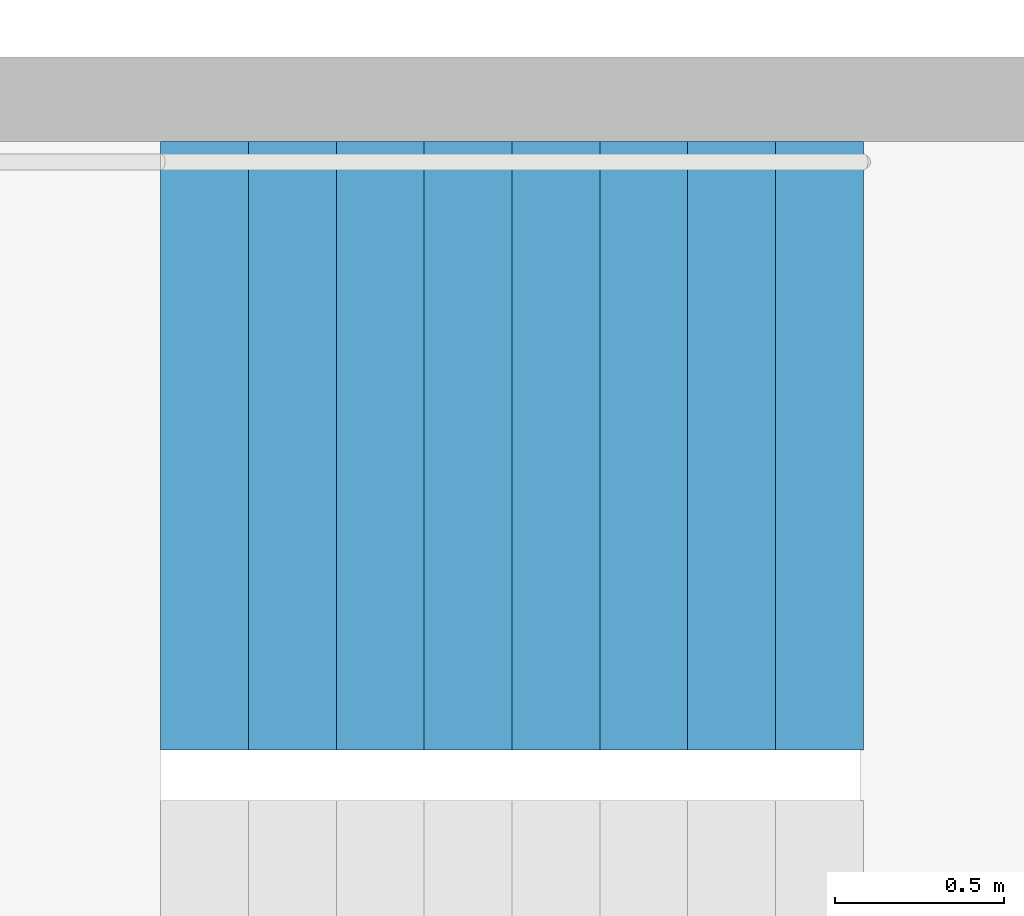
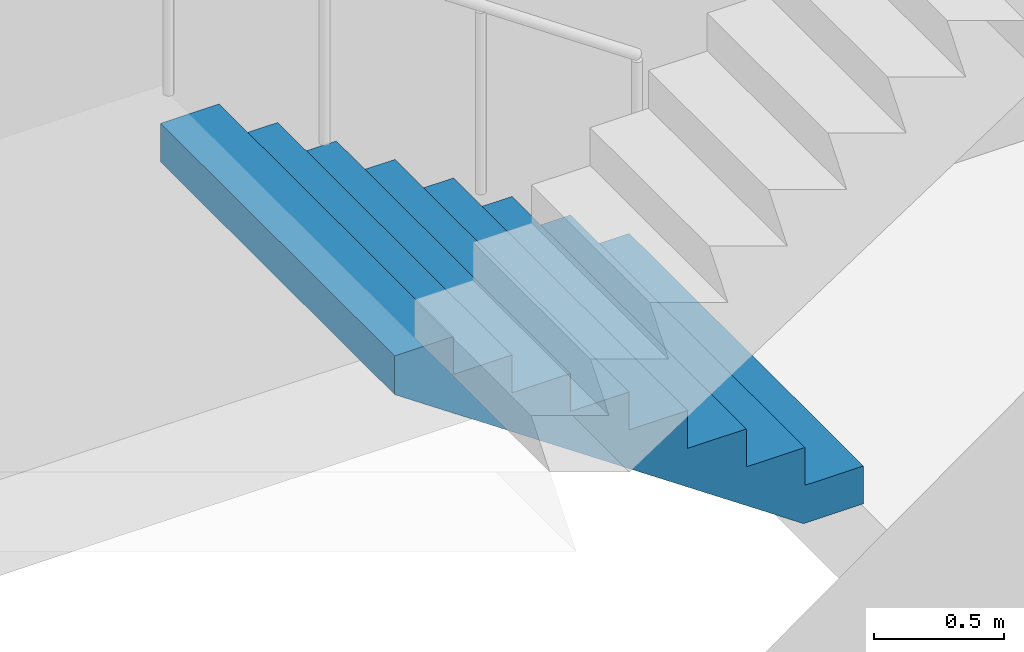
# One storey, part 19 of 26: 1 stair flight, 1 element without a shape of its own.
"""IFC4 building model written with IfcOpenShell, lengths in metres."""

import ifcopenshell
import ifcopenshell.guid

model = None  # the IFC model being written
_history = None  # IfcOwnerHistory: only IFC2X3 demands one
_inside = {}  # id of a spatial element -> (the spatial element, [elements in it])
_under = {}  # id of a project, library or spatial element -> (it, [spatial elements below it])
_declared = {}  # id of a project -> (the project, [libraries it declares])
_typed = {}  # id of a type object -> (the type object, [elements of that type])
_made_of = {}  # id of a material, layer set ... -> (it, [elements and type objects made of it])


def new_model(schema):
    """Start an empty IFC model of exactly this schema.

    Asked for "IFC4X3", IfcOpenShell would pick the latest addendum, in which some entities
    have other attributes; the version numbers below select the first issue.
    IFC2X3 requires an IfcOwnerHistory on every rooted entity: one is made here for all.
    """
    global model, _history
    if schema == "IFC4X3":
        model = ifcopenshell.file(schema_version=(4, 3, 0, 0))
    else:
        model = ifcopenshell.file(schema=schema)
    _inside.clear()
    _under.clear()
    _declared.clear()
    _typed.clear()
    _made_of.clear()
    _history = None
    if model.schema == "IFC2X3":
        org = make("IfcOrganization", Name="unknown")
        user = make(
            "IfcPersonAndOrganization",
            ThePerson=make("IfcPerson", FamilyName="unknown"),
            TheOrganization=org,
        )
        app = make(
            "IfcApplication",
            ApplicationDeveloper=org,
            Version="unknown",
            ApplicationFullName="unknown",
            ApplicationIdentifier="unknown",
        )
        _history = make(
            "IfcOwnerHistory",
            OwningUser=user,
            OwningApplication=app,
            ChangeAction="ADDED",
            CreationDate=0,
        )
    return model


def make(cls, **values):
    """One entity of the class cls with the attributes given. An attribute that is None is left unset."""
    return model.create_entity(
        cls, **{name: value for name, value in values.items() if value is not None}
    )


def rooted(cls, **values):
    """An entity with a GlobalId (a new one), such as an element, a storey or a relation."""
    return make(cls, GlobalId=ifcopenshell.guid.new(), OwnerHistory=_history, **values)


def si_unit(unit_type, name, prefix=None):
    """IfcSIUnit, for example si_unit("LENGTHUNIT", "METRE", prefix="MILLI")."""
    return make("IfcSIUnit", UnitType=unit_type, Prefix=prefix, Name=name)


def assignment(units):
    """IfcUnitAssignment: the units of a project."""
    return None if units is None else make("IfcUnitAssignment", Units=units)


def point(xyz):
    """IfcCartesianPoint."""
    return None if xyz is None else make("IfcCartesianPoint", Coordinates=xyz)


def direction(xyz):
    """IfcDirection."""
    return None if xyz is None else make("IfcDirection", DirectionRatios=xyz)


def frame(location, z_axis=None, x_axis=None):
    """IfcAxis2Placement3D, a coordinate frame: its origin and axes. An axis left out is left unset."""
    return make(
        "IfcAxis2Placement3D",
        Location=point(location),
        Axis=direction(z_axis),
        RefDirection=direction(x_axis),
    )


def origin():
    """The frame at (0, 0, 0) with its axes left unset."""
    return frame((0.0, 0.0, 0.0))


def place(relative_to, where):
    """IfcLocalPlacement: puts the frame where relative to a parent placement (None: the world)."""
    return make(
        "IfcLocalPlacement", PlacementRelTo=relative_to, RelativePlacement=where
    )


def context(
    kind, dimensions, precision=None, world=None, true_north=None, identifier=None
):
    """IfcGeometricRepresentationContext, for example the 3D "Model" context."""
    return make(
        "IfcGeometricRepresentationContext",
        ContextIdentifier=identifier,
        ContextType=kind,
        CoordinateSpaceDimension=dimensions,
        Precision=precision,
        WorldCoordinateSystem=world,
        TrueNorth=true_north,
    )


def subcontext(parent, identifier, kind, view, scale=None):
    """IfcGeometricRepresentationSubContext, for example "Body" below "Model"."""
    return make(
        "IfcGeometricRepresentationSubContext",
        ContextIdentifier=identifier,
        ContextType=kind,
        ParentContext=parent,
        TargetScale=scale,
        TargetView=view,
    )


def project(units=None, contexts=None):
    """IfcProject with its units and contexts."""
    return rooted(
        "IfcProject",
        Name="project",
        RepresentationContexts=contexts,
        UnitsInContext=assignment(units),
    )


def spatial(cls, under=None, at=None, **own):
    """A site, building, storey or space (cls), placed at a placement, below another one or the project."""
    s = rooted(cls, ObjectPlacement=at, **own)
    if under is not None:
        _under.setdefault(under.id(), (under, []))[1].append(s)
    return s


def point_list(points):
    """IfcCartesianPointList2D or 3D."""
    cls = (
        "IfcCartesianPointList2D" if len(points[0]) == 2 else "IfcCartesianPointList3D"
    )
    return make(cls, CoordList=points)


def triangles(points, corners, closed=None, point_numbers=None):
    """IfcTriangulatedFaceSet: each triangle names its three corners, points numbered from 1."""
    return make(
        "IfcTriangulatedFaceSet",
        Coordinates=point_list(points),
        Closed=closed,
        CoordIndex=corners,
        PnIndex=point_numbers,
    )


def shape(context_of_items, identifier, shape_type, items):
    """IfcShapeRepresentation: the items that make up one representation, for example the "Body"."""
    return make(
        "IfcShapeRepresentation",
        ContextOfItems=context_of_items,
        RepresentationIdentifier=identifier,
        RepresentationType=shape_type,
        Items=items,
    )


def material(Name=None, Category=None):
    """IfcMaterial."""
    return make("IfcMaterial", Name=Name, Category=Category)


def made_of(thing, what):
    """Note that an element or type object is made of a material, layer set ...; save() writes the relation."""
    if what is not None:
        _made_of.setdefault(what.id(), (what, []))[1].append(thing)
    return thing


def type_object(cls, material=None, **own):
    """A type object (cls), such as IfcWallType, which elements share."""
    return made_of(rooted(cls, **own), material)


def element(
    cls,
    number,
    at=None,
    inside=None,
    cuts=None,
    type_object=None,
    material=None,
    context=None,
    identifier="Body",
    shape_type=None,
    held_by="IfcProductDefinitionShape",
    body=None,
    shapes=None,
    **own,
):
    """One element of the class cls, such as IfcWall. Its Tag is "e" and its number.

    at: its placement. inside: the storey or other place that contains it. cuts: it is an
    opening in that element (IfcRelVoidsElement). A single representation is given by context,
    identifier, shape_type and body (its items); several are given by shapes. held_by: the class
    of the entity that holds the representations. save() writes the other relations.
    """
    e = rooted(cls, Tag="e%d" % number, ObjectPlacement=at, **own)
    if body is not None:
        shapes = [shape(context, identifier, shape_type, body)]
    if shapes is not None:
        e.Representation = make(held_by, Representations=shapes)
    if inside is not None:
        _inside.setdefault(inside.id(), (inside, []))[1].append(e)
    if cuts is not None:
        rooted(
            "IfcRelVoidsElement", RelatingBuildingElement=cuts, RelatedOpeningElement=e
        )
    if type_object is not None:
        _typed.setdefault(type_object.id(), (type_object, []))[1].append(e)
    return made_of(e, material)


def aggregate(whole, parts):
    """IfcRelAggregates: a whole, such as a stair, and the parts it consists of."""
    return rooted("IfcRelAggregates", RelatingObject=whole, RelatedObjects=parts)


def save(model, path):
    """Write the relations noted so far, then the file.

    IfcRelAggregates (storeys below a building ...), IfcRelContainedInSpatialStructure (elements
    in a storey), IfcRelDefinesByType, IfcRelAssociatesMaterial and IfcRelDeclares: one each for
    every whole, place, type object, material and project.
    """
    for whole, parts in _under.values():
        aggregate(whole, parts)
    for where, things in _inside.values():
        rooted(
            "IfcRelContainedInSpatialStructure",
            RelatedElements=things,
            RelatingStructure=where,
        )
    for kind, things in _typed.values():
        rooted("IfcRelDefinesByType", RelatedObjects=things, RelatingType=kind)
    for what, things in _made_of.values():
        rooted("IfcRelAssociatesMaterial", RelatedObjects=things, RelatingMaterial=what)
    for by, libraries in _declared.values():
        rooted("IfcRelDeclares", RelatingContext=by, RelatedDefinitions=libraries)
    model.write(path)


model = new_model("IFC4")

# Units and contexts
model_context = context("Model", 3, precision=1e-05, world=origin(), true_north=direction((0.0, 1.0)))
body_context = subcontext(model_context, "Body", "Model", "MODEL_VIEW")
ifc_project = project(units=[si_unit("LENGTHUNIT", "METRE"), si_unit("AREAUNIT", "SQUARE_METRE"), si_unit("VOLUMEUNIT", "CUBIC_METRE"), si_unit("PLANEANGLEUNIT", "RADIAN"), si_unit("MASSUNIT", "GRAM", prefix="KILO")], contexts=[model_context])

# Site, building, storey
site_placement = place(None, origin())
site = spatial("IfcSite", under=ifc_project, at=site_placement, CompositionType="ELEMENT")
building_placement = place(site_placement, origin())
building = spatial("IfcBuilding", under=site, at=building_placement, Name="Hakoniwa Tower and Hamabe Station Hall", CompositionType="ELEMENT")
storey_placement = place(building_placement, frame((0.0, 0.0, 209.0)))
storey = spatial("IfcBuildingStorey", under=building, at=storey_placement, Name="L59", CompositionType="ELEMENT", Elevation=209.0)

# Stair, stair flight
ifc_material_1 = material(Name="Concrete C40", Category="concrete")
stair_type = type_object("IfcStairType", Name="ESCAPE STAIR 1800", PredefinedType="HALF_TURN_STAIR", material=ifc_material_1)
stair_placement = place(storey_placement, origin())
stair = element("IfcStair", 1, at=stair_placement, inside=storey, type_object=stair_type, Name="Escape stair ST-2 L59", PredefinedType="HALF_TURN_STAIR")
ifc_material_2 = material(Name="Concrete C40", Category="concrete")
stair_flight_type = type_object("IfcStairFlightType", Name="STAIR FLIGHT 1800", PredefinedType="STRAIGHT", material=ifc_material_2)
stair_flight_placement = place(storey_placement, frame((-23.39990234375, -4.64990234375, 0.0), z_axis=(0.0, 0.0, 1.0), x_axis=(-1.0, 0.0, 0.0)))
stair_flight = element("IfcStairFlight", 2, at=stair_flight_placement, type_object=stair_flight_type, Name="ST-2 flight 1", NumberOfRisers=9, NumberOfTreads=8, PredefinedType="STRAIGHT", RiserHeight=0.177777778, TreadLength=0.26, context=body_context, shape_type="Tessellation", body=[
    triangles([(0.0, 0.89990234375, 0.0), (0.260009765625, 0.89990234375, 0.0), (0.265625, 0.89990234375, 0.0), (0.52001953125, 0.89990234375, 0.174072265625), (0.780029296875, 0.89990234375, 0.351806640625), (1.0400390625, 0.89990234375, 0.529541015625), (1.300048828125, 0.89990234375, 0.707275390625), (1.56005859375, 0.89990234375, 0.885009765625), (1.820068359375, 0.89990234375, 1.062744140625), (2.080078125, 0.89990234375, 1.24072265625), (2.080078125, 0.89990234375, 1.422119140625), (1.820068359375, 0.89990234375, 1.422119140625), (1.820068359375, 0.89990234375, 1.244384765625), (1.56005859375, 0.89990234375, 1.244384765625), (1.56005859375, 0.89990234375, 1.066650390625), (1.300048828125, 0.89990234375, 1.066650390625), (1.300048828125, 0.89990234375, 0.888916015625), (1.0400390625, 0.89990234375, 0.888916015625), (1.0400390625, 0.89990234375, 0.711181640625), (0.780029296875, 0.89990234375, 0.711181640625), (0.780029296875, 0.89990234375, 0.533447265625), (0.52001953125, 0.89990234375, 0.533447265625), (0.52001953125, 0.89990234375, 0.35546875), (0.265625, 0.89990234375, 0.35546875), (0.260009765625, 0.89990234375, 0.35546875), (0.260009765625, 0.89990234375, 0.177734375), (0.0, 0.89990234375, 0.177734375), (0.0, 0.06005859375, 0.0), (0.260009765625, 0.06005859375, 0.0), (0.265625, 0.06005859375, 0.0), (0.52001953125, 0.06005859375, 0.174072265625), (0.780029296875, 0.06005859375, 0.351806640625), (1.0400390625, 0.06005859375, 0.529541015625), (1.300048828125, 0.06005859375, 0.707275390625), (1.56005859375, 0.06005859375, 0.885009765625), (1.820068359375, 0.06005859375, 1.062744140625), (2.080078125, 0.06005859375, 1.24072265625), (2.080078125, 0.06005859375, 1.422119140625), (1.820068359375, 0.06005859375, 1.422119140625), (1.820068359375, 0.06005859375, 1.244384765625), (1.56005859375, 0.06005859375, 1.244384765625), (1.56005859375, 0.06005859375, 1.066650390625), (1.300048828125, 0.06005859375, 1.066650390625), (1.300048828125, 0.06005859375, 0.888916015625), (1.0400390625, 0.06005859375, 0.888916015625), (1.0400390625, 0.06005859375, 0.711181640625), (0.780029296875, 0.06005859375, 0.711181640625), (0.780029296875, 0.06005859375, 0.533447265625), (0.52001953125, 0.06005859375, 0.533447265625), (0.52001953125, 0.06005859375, 0.35546875), (0.265625, 0.06005859375, 0.35546875), (0.260009765625, 0.06005859375, 0.35546875), (0.260009765625, 0.06005859375, 0.177734375), (0.0, 0.06005859375, 0.177734375), (0.0, 0.04296875, 0.0), (0.260009765625, 0.04296875, 0.0), (0.265625, 0.04296875, 0.0), (0.52001953125, 0.04296875, 0.174072265625), (0.780029296875, 0.04296875, 0.351806640625), (1.0400390625, 0.04296875, 0.529541015625), (1.300048828125, 0.04296875, 0.707275390625), (1.56005859375, 0.04296875, 0.885009765625), (1.820068359375, 0.04296875, 1.062744140625), (2.080078125, 0.04296875, 1.24072265625), (2.080078125, 0.04296875, 1.422119140625), (1.820068359375, 0.04296875, 1.422119140625), (1.820068359375, 0.04296875, 1.244384765625), (1.56005859375, 0.04296875, 1.244384765625), (1.56005859375, 0.04296875, 1.066650390625), (1.300048828125, 0.04296875, 1.066650390625), (1.300048828125, 0.04296875, 0.888916015625), (1.0400390625, 0.04296875, 0.888916015625), (1.0400390625, 0.04296875, 0.711181640625), (0.780029296875, 0.04296875, 0.711181640625), (0.780029296875, 0.04296875, 0.533447265625), (0.52001953125, 0.04296875, 0.533447265625), (0.52001953125, 0.04296875, 0.35546875), (0.265625, 0.04296875, 0.35546875), (0.260009765625, 0.04296875, 0.35546875), (0.260009765625, 0.04296875, 0.177734375), (0.0, 0.04296875, 0.177734375), (0.0, 0.025634765625, 0.0), (0.260009765625, 0.025634765625, 0.0), (0.265625, 0.025634765625, 0.0), (0.52001953125, 0.025634765625, 0.174072265625), (0.780029296875, 0.025634765625, 0.351806640625), (1.0400390625, 0.025634765625, 0.529541015625), (1.300048828125, 0.025634765625, 0.707275390625), (1.56005859375, 0.025634765625, 0.885009765625), (1.820068359375, 0.025634765625, 1.062744140625), (2.080078125, 0.025634765625, 1.24072265625), (2.080078125, 0.025634765625, 1.422119140625), (1.820068359375, 0.025634765625, 1.422119140625), (1.820068359375, 0.025634765625, 1.244384765625), (1.56005859375, 0.025634765625, 1.244384765625), (1.56005859375, 0.025634765625, 1.066650390625), (1.300048828125, 0.025634765625, 1.066650390625), (1.300048828125, 0.025634765625, 0.888916015625), (1.0400390625, 0.025634765625, 0.888916015625), (1.0400390625, 0.025634765625, 0.711181640625), (0.780029296875, 0.025634765625, 0.711181640625), (0.780029296875, 0.025634765625, 0.533447265625), (0.52001953125, 0.025634765625, 0.533447265625), (0.52001953125, 0.025634765625, 0.35546875), (0.265625, 0.025634765625, 0.35546875), (0.260009765625, 0.025634765625, 0.35546875), (0.260009765625, 0.025634765625, 0.177734375), (0.0, 0.025634765625, 0.177734375), (0.0, 0.008544921875, 0.0), (0.260009765625, 0.008544921875, 0.0), (0.265625, 0.008544921875, 0.0), (0.52001953125, 0.008544921875, 0.174072265625), (0.780029296875, 0.008544921875, 0.351806640625), (1.0400390625, 0.008544921875, 0.529541015625), (1.300048828125, 0.008544921875, 0.707275390625), (1.56005859375, 0.008544921875, 0.885009765625), (1.820068359375, 0.008544921875, 1.062744140625), (2.080078125, 0.008544921875, 1.24072265625), (2.080078125, 0.008544921875, 1.422119140625), (1.820068359375, 0.008544921875, 1.422119140625), (1.820068359375, 0.008544921875, 1.244384765625), (1.56005859375, 0.008544921875, 1.244384765625), (1.56005859375, 0.008544921875, 1.066650390625), (1.300048828125, 0.008544921875, 1.066650390625), (1.300048828125, 0.008544921875, 0.888916015625), (1.0400390625, 0.008544921875, 0.888916015625), (1.0400390625, 0.008544921875, 0.711181640625), (0.780029296875, 0.008544921875, 0.711181640625), (0.780029296875, 0.008544921875, 0.533447265625), (0.52001953125, 0.008544921875, 0.533447265625), (0.52001953125, 0.008544921875, 0.35546875), (0.265625, 0.008544921875, 0.35546875), (0.260009765625, 0.008544921875, 0.35546875), (0.260009765625, 0.008544921875, 0.177734375), (0.0, 0.008544921875, 0.177734375), (0.0, -0.008544921875, 0.0), (0.260009765625, -0.008544921875, 0.0), (0.265625, -0.008544921875, 0.0), (0.52001953125, -0.008544921875, 0.174072265625), (0.780029296875, -0.008544921875, 0.351806640625), (1.0400390625, -0.008544921875, 0.529541015625), (1.300048828125, -0.008544921875, 0.707275390625), (1.56005859375, -0.008544921875, 0.885009765625), (1.820068359375, -0.008544921875, 1.062744140625), (2.080078125, -0.008544921875, 1.24072265625), (2.080078125, -0.008544921875, 1.422119140625), (1.820068359375, -0.008544921875, 1.422119140625), (1.820068359375, -0.008544921875, 1.244384765625), (1.56005859375, -0.008544921875, 1.244384765625), (1.56005859375, -0.008544921875, 1.066650390625), (1.300048828125, -0.008544921875, 1.066650390625), (1.300048828125, -0.008544921875, 0.888916015625), (1.0400390625, -0.008544921875, 0.888916015625), (1.0400390625, -0.008544921875, 0.711181640625), (0.780029296875, -0.008544921875, 0.711181640625), (0.780029296875, -0.008544921875, 0.533447265625), (0.52001953125, -0.008544921875, 0.533447265625), (0.52001953125, -0.008544921875, 0.35546875), (0.265625, -0.008544921875, 0.35546875), (0.260009765625, -0.008544921875, 0.35546875), (0.260009765625, -0.008544921875, 0.177734375), (0.0, -0.008544921875, 0.177734375), (0.0, -0.025634765625, 0.0), (0.260009765625, -0.025634765625, 0.0), (0.265625, -0.025634765625, 0.0), (0.52001953125, -0.025634765625, 0.174072265625), (0.780029296875, -0.025634765625, 0.351806640625), (1.0400390625, -0.025634765625, 0.529541015625), (1.300048828125, -0.025634765625, 0.707275390625), (1.56005859375, -0.025634765625, 0.885009765625), (1.820068359375, -0.025634765625, 1.062744140625), (2.080078125, -0.025634765625, 1.24072265625), (2.080078125, -0.025634765625, 1.422119140625), (1.820068359375, -0.025634765625, 1.422119140625), (1.820068359375, -0.025634765625, 1.244384765625), (1.56005859375, -0.025634765625, 1.244384765625), (1.56005859375, -0.025634765625, 1.066650390625), (1.300048828125, -0.025634765625, 1.066650390625), (1.300048828125, -0.025634765625, 0.888916015625), (1.0400390625, -0.025634765625, 0.888916015625), (1.0400390625, -0.025634765625, 0.711181640625), (0.780029296875, -0.025634765625, 0.711181640625), (0.780029296875, -0.025634765625, 0.533447265625), (0.52001953125, -0.025634765625, 0.533447265625), (0.52001953125, -0.025634765625, 0.35546875), (0.265625, -0.025634765625, 0.35546875), (0.260009765625, -0.025634765625, 0.35546875), (0.260009765625, -0.025634765625, 0.177734375), (0.0, -0.025634765625, 0.177734375), (0.0, -0.04296875, 0.0), (0.260009765625, -0.04296875, 0.0), (0.265625, -0.04296875, 0.0), (0.52001953125, -0.04296875, 0.174072265625), (0.780029296875, -0.04296875, 0.351806640625), (1.0400390625, -0.04296875, 0.529541015625), (1.300048828125, -0.04296875, 0.707275390625), (1.56005859375, -0.04296875, 0.885009765625), (1.820068359375, -0.04296875, 1.062744140625), (2.080078125, -0.04296875, 1.24072265625), (2.080078125, -0.04296875, 1.422119140625), (1.820068359375, -0.04296875, 1.422119140625), (1.820068359375, -0.04296875, 1.244384765625), (1.56005859375, -0.04296875, 1.244384765625), (1.56005859375, -0.04296875, 1.066650390625), (1.300048828125, -0.04296875, 1.066650390625), (1.300048828125, -0.04296875, 0.888916015625), (1.0400390625, -0.04296875, 0.888916015625), (1.0400390625, -0.04296875, 0.711181640625), (0.780029296875, -0.04296875, 0.711181640625), (0.780029296875, -0.04296875, 0.533447265625), (0.52001953125, -0.04296875, 0.533447265625), (0.52001953125, -0.04296875, 0.35546875), (0.265625, -0.04296875, 0.35546875), (0.260009765625, -0.04296875, 0.35546875), (0.260009765625, -0.04296875, 0.177734375), (0.0, -0.04296875, 0.177734375), (0.0, -0.06005859375, 0.0), (0.260009765625, -0.06005859375, 0.0), (0.265625, -0.06005859375, 0.0), (0.52001953125, -0.06005859375, 0.174072265625), (0.780029296875, -0.06005859375, 0.351806640625), (1.0400390625, -0.06005859375, 0.529541015625), (1.300048828125, -0.06005859375, 0.707275390625), (1.56005859375, -0.06005859375, 0.885009765625), (1.820068359375, -0.06005859375, 1.062744140625), (2.080078125, -0.06005859375, 1.24072265625), (2.080078125, -0.06005859375, 1.422119140625), (1.820068359375, -0.06005859375, 1.422119140625), (1.820068359375, -0.06005859375, 1.244384765625), (1.56005859375, -0.06005859375, 1.244384765625), (1.56005859375, -0.06005859375, 1.066650390625), (1.300048828125, -0.06005859375, 1.066650390625), (1.300048828125, -0.06005859375, 0.888916015625), (1.0400390625, -0.06005859375, 0.888916015625), (1.0400390625, -0.06005859375, 0.711181640625), (0.780029296875, -0.06005859375, 0.711181640625), (0.780029296875, -0.06005859375, 0.533447265625), (0.52001953125, -0.06005859375, 0.533447265625), (0.52001953125, -0.06005859375, 0.35546875), (0.265625, -0.06005859375, 0.35546875), (0.260009765625, -0.06005859375, 0.35546875), (0.260009765625, -0.06005859375, 0.177734375), (0.0, -0.06005859375, 0.177734375), (0.0, -0.89990234375, 0.0), (0.260009765625, -0.89990234375, 0.0), (0.265625, -0.89990234375, 0.0), (0.52001953125, -0.89990234375, 0.174072265625), (0.780029296875, -0.89990234375, 0.351806640625), (1.0400390625, -0.89990234375, 0.529541015625), (1.300048828125, -0.89990234375, 0.707275390625), (1.56005859375, -0.89990234375, 0.885009765625), (1.820068359375, -0.89990234375, 1.062744140625), (2.080078125, -0.89990234375, 1.24072265625), (2.080078125, -0.89990234375, 1.422119140625), (1.820068359375, -0.89990234375, 1.422119140625), (1.820068359375, -0.89990234375, 1.244384765625), (1.56005859375, -0.89990234375, 1.244384765625), (1.56005859375, -0.89990234375, 1.066650390625), (1.300048828125, -0.89990234375, 1.066650390625), (1.300048828125, -0.89990234375, 0.888916015625), (1.0400390625, -0.89990234375, 0.888916015625), (1.0400390625, -0.89990234375, 0.711181640625), (0.780029296875, -0.89990234375, 0.711181640625), (0.780029296875, -0.89990234375, 0.533447265625), (0.52001953125, -0.89990234375, 0.533447265625), (0.52001953125, -0.89990234375, 0.35546875), (0.265625, -0.89990234375, 0.35546875), (0.260009765625, -0.89990234375, 0.35546875), (0.260009765625, -0.89990234375, 0.177734375), (0.0, -0.89990234375, 0.177734375)], [[2, 27, 26], [245, 269, 270], [2, 1, 27], [245, 270, 244], [3, 25, 24], [246, 267, 268], [3, 26, 25], [246, 268, 269], [3, 2, 26], [246, 269, 245], [4, 24, 23], [247, 266, 267], [4, 3, 24], [247, 267, 246], [5, 22, 21], [248, 264, 265], [5, 23, 22], [248, 265, 266], [5, 4, 23], [248, 266, 247], [6, 20, 19], [249, 262, 263], [6, 21, 20], [249, 263, 264], [6, 5, 21], [249, 264, 248], [7, 18, 17], [250, 260, 261], [7, 19, 18], [250, 261, 262], [7, 6, 19], [250, 262, 249], [8, 16, 15], [251, 258, 259], [8, 17, 16], [251, 259, 260], [8, 7, 17], [251, 260, 250], [9, 14, 13], [252, 256, 257], [9, 15, 14], [252, 257, 258], [9, 8, 15], [252, 258, 251], [10, 12, 11], [253, 254, 255], [10, 13, 12], [253, 255, 256], [10, 9, 13], [253, 256, 252], [1, 2, 29], [1, 29, 28], [28, 29, 56], [28, 56, 55], [55, 56, 83], [55, 83, 82], [82, 83, 110], [82, 110, 109], [109, 110, 137], [109, 137, 136], [136, 137, 164], [136, 164, 163], [163, 164, 191], [163, 191, 190], [190, 191, 218], [190, 218, 217], [217, 218, 245], [217, 245, 244], [2, 3, 30], [2, 30, 29], [29, 30, 57], [29, 57, 56], [56, 57, 84], [56, 84, 83], [83, 84, 111], [83, 111, 110], [110, 111, 138], [110, 138, 137], [137, 138, 165], [137, 165, 164], [164, 165, 192], [164, 192, 191], [191, 192, 219], [191, 219, 218], [218, 219, 246], [218, 246, 245], [3, 4, 31], [3, 31, 30], [30, 31, 58], [30, 58, 57], [57, 58, 85], [57, 85, 84], [84, 85, 112], [84, 112, 111], [111, 112, 139], [111, 139, 138], [138, 139, 166], [138, 166, 165], [165, 166, 193], [165, 193, 192], [192, 193, 220], [192, 220, 219], [219, 220, 247], [219, 247, 246], [4, 5, 32], [4, 32, 31], [31, 32, 59], [31, 59, 58], [58, 59, 86], [58, 86, 85], [85, 86, 113], [85, 113, 112], [112, 113, 140], [112, 140, 139], [139, 140, 167], [139, 167, 166], [166, 167, 194], [166, 194, 193], [193, 194, 221], [193, 221, 220], [220, 221, 248], [220, 248, 247], [5, 6, 33], [5, 33, 32], [32, 33, 60], [32, 60, 59], [59, 60, 87], [59, 87, 86], [86, 87, 114], [86, 114, 113], [113, 114, 141], [113, 141, 140], [140, 141, 168], [140, 168, 167], [167, 168, 195], [167, 195, 194], [194, 195, 222], [194, 222, 221], [221, 222, 249], [221, 249, 248], [6, 7, 34], [6, 34, 33], [33, 34, 61], [33, 61, 60], [60, 61, 88], [60, 88, 87], [87, 88, 115], [87, 115, 114], [114, 115, 142], [114, 142, 141], [141, 142, 169], [141, 169, 168], [168, 169, 196], [168, 196, 195], [195, 196, 223], [195, 223, 222], [222, 223, 250], [222, 250, 249], [7, 8, 35], [7, 35, 34], [34, 35, 62], [34, 62, 61], [61, 62, 89], [61, 89, 88], [88, 89, 116], [88, 116, 115], [115, 116, 143], [115, 143, 142], [142, 143, 170], [142, 170, 169], [169, 170, 197], [169, 197, 196], [196, 197, 224], [196, 224, 223], [223, 224, 251], [223, 251, 250], [8, 9, 36], [8, 36, 35], [35, 36, 63], [35, 63, 62], [62, 63, 90], [62, 90, 89], [89, 90, 117], [89, 117, 116], [116, 117, 144], [116, 144, 143], [143, 144, 171], [143, 171, 170], [170, 171, 198], [170, 198, 197], [197, 198, 225], [197, 225, 224], [224, 225, 252], [224, 252, 251], [9, 10, 37], [9, 37, 36], [36, 37, 64], [36, 64, 63], [63, 64, 91], [63, 91, 90], [90, 91, 118], [90, 118, 117], [117, 118, 145], [117, 145, 144], [144, 145, 172], [144, 172, 171], [171, 172, 199], [171, 199, 198], [198, 199, 226], [198, 226, 225], [225, 226, 253], [225, 253, 252], [10, 11, 38], [10, 38, 37], [37, 38, 65], [37, 65, 64], [64, 65, 92], [64, 92, 91], [91, 92, 119], [91, 119, 118], [118, 119, 146], [118, 146, 145], [145, 146, 173], [145, 173, 172], [172, 173, 200], [172, 200, 199], [199, 200, 227], [199, 227, 226], [226, 227, 254], [226, 254, 253], [11, 12, 39], [11, 39, 38], [38, 39, 66], [38, 66, 65], [65, 66, 93], [65, 93, 92], [92, 93, 120], [92, 120, 119], [119, 120, 147], [119, 147, 146], [146, 147, 174], [146, 174, 173], [173, 174, 201], [173, 201, 200], [200, 201, 228], [200, 228, 227], [227, 228, 255], [227, 255, 254], [12, 13, 40], [12, 40, 39], [39, 40, 67], [39, 67, 66], [66, 67, 94], [66, 94, 93], [93, 94, 121], [93, 121, 120], [120, 121, 148], [120, 148, 147], [147, 148, 175], [147, 175, 174], [174, 175, 202], [174, 202, 201], [201, 202, 229], [201, 229, 228], [228, 229, 256], [228, 256, 255], [13, 14, 41], [13, 41, 40], [40, 41, 68], [40, 68, 67], [67, 68, 95], [67, 95, 94], [94, 95, 122], [94, 122, 121], [121, 122, 149], [121, 149, 148], [148, 149, 176], [148, 176, 175], [175, 176, 203], [175, 203, 202], [202, 203, 230], [202, 230, 229], [229, 230, 257], [229, 257, 256], [14, 15, 42], [14, 42, 41], [41, 42, 69], [41, 69, 68], [68, 69, 96], [68, 96, 95], [95, 96, 123], [95, 123, 122], [122, 123, 150], [122, 150, 149], [149, 150, 177], [149, 177, 176], [176, 177, 204], [176, 204, 203], [203, 204, 231], [203, 231, 230], [230, 231, 258], [230, 258, 257], [15, 16, 43], [15, 43, 42], [42, 43, 70], [42, 70, 69], [69, 70, 97], [69, 97, 96], [96, 97, 124], [96, 124, 123], [123, 124, 151], [123, 151, 150], [150, 151, 178], [150, 178, 177], [177, 178, 205], [177, 205, 204], [204, 205, 232], [204, 232, 231], [231, 232, 259], [231, 259, 258], [16, 17, 44], [16, 44, 43], [43, 44, 71], [43, 71, 70], [70, 71, 98], [70, 98, 97], [97, 98, 125], [97, 125, 124], [124, 125, 152], [124, 152, 151], [151, 152, 179], [151, 179, 178], [178, 179, 206], [178, 206, 205], [205, 206, 233], [205, 233, 232], [232, 233, 260], [232, 260, 259], [17, 18, 45], [17, 45, 44], [44, 45, 72], [44, 72, 71], [71, 72, 99], [71, 99, 98], [98, 99, 126], [98, 126, 125], [125, 126, 153], [125, 153, 152], [152, 153, 180], [152, 180, 179], [179, 180, 207], [179, 207, 206], [206, 207, 234], [206, 234, 233], [233, 234, 261], [233, 261, 260], [18, 19, 46], [18, 46, 45], [45, 46, 73], [45, 73, 72], [72, 73, 100], [72, 100, 99], [99, 100, 127], [99, 127, 126], [126, 127, 154], [126, 154, 153], [153, 154, 181], [153, 181, 180], [180, 181, 208], [180, 208, 207], [207, 208, 235], [207, 235, 234], [234, 235, 262], [234, 262, 261], [19, 20, 47], [19, 47, 46], [46, 47, 74], [46, 74, 73], [73, 74, 101], [73, 101, 100], [100, 101, 128], [100, 128, 127], [127, 128, 155], [127, 155, 154], [154, 155, 182], [154, 182, 181], [181, 182, 209], [181, 209, 208], [208, 209, 236], [208, 236, 235], [235, 236, 263], [235, 263, 262], [20, 21, 48], [20, 48, 47], [47, 48, 75], [47, 75, 74], [74, 75, 102], [74, 102, 101], [101, 102, 129], [101, 129, 128], [128, 129, 156], [128, 156, 155], [155, 156, 183], [155, 183, 182], [182, 183, 210], [182, 210, 209], [209, 210, 237], [209, 237, 236], [236, 237, 264], [236, 264, 263], [21, 22, 49], [21, 49, 48], [48, 49, 76], [48, 76, 75], [75, 76, 103], [75, 103, 102], [102, 103, 130], [102, 130, 129], [129, 130, 157], [129, 157, 156], [156, 157, 184], [156, 184, 183], [183, 184, 211], [183, 211, 210], [210, 211, 238], [210, 238, 237], [237, 238, 265], [237, 265, 264], [22, 23, 50], [22, 50, 49], [49, 50, 77], [49, 77, 76], [76, 77, 104], [76, 104, 103], [103, 104, 131], [103, 131, 130], [130, 131, 158], [130, 158, 157], [157, 158, 185], [157, 185, 184], [184, 185, 212], [184, 212, 211], [211, 212, 239], [211, 239, 238], [238, 239, 266], [238, 266, 265], [23, 24, 51], [23, 51, 50], [50, 51, 78], [50, 78, 77], [77, 78, 105], [77, 105, 104], [104, 105, 132], [104, 132, 131], [131, 132, 159], [131, 159, 158], [158, 159, 186], [158, 186, 185], [185, 186, 213], [185, 213, 212], [212, 213, 240], [212, 240, 239], [239, 240, 267], [239, 267, 266], [24, 25, 52], [24, 52, 51], [51, 52, 79], [51, 79, 78], [78, 79, 106], [78, 106, 105], [105, 106, 133], [105, 133, 132], [132, 133, 160], [132, 160, 159], [159, 160, 187], [159, 187, 186], [186, 187, 214], [186, 214, 213], [213, 214, 241], [213, 241, 240], [240, 241, 268], [240, 268, 267], [25, 26, 53], [25, 53, 52], [52, 53, 80], [52, 80, 79], [79, 80, 107], [79, 107, 106], [106, 107, 134], [106, 134, 133], [133, 134, 161], [133, 161, 160], [160, 161, 188], [160, 188, 187], [187, 188, 215], [187, 215, 214], [214, 215, 242], [214, 242, 241], [241, 242, 269], [241, 269, 268], [26, 27, 54], [26, 54, 53], [53, 54, 81], [53, 81, 80], [80, 81, 108], [80, 108, 107], [107, 108, 135], [107, 135, 134], [134, 135, 162], [134, 162, 161], [161, 162, 189], [161, 189, 188], [188, 189, 216], [188, 216, 215], [215, 216, 243], [215, 243, 242], [242, 243, 270], [242, 270, 269], [27, 1, 28], [27, 28, 54], [54, 28, 55], [54, 55, 81], [81, 55, 82], [81, 82, 108], [108, 82, 109], [108, 109, 135], [135, 109, 136], [135, 136, 162], [162, 136, 163], [162, 163, 189], [189, 163, 190], [189, 190, 216], [216, 190, 217], [216, 217, 243], [243, 217, 244], [243, 244, 270]], closed=True),
])
aggregate(stair, [stair_flight])

save(model, "model.ifc")
